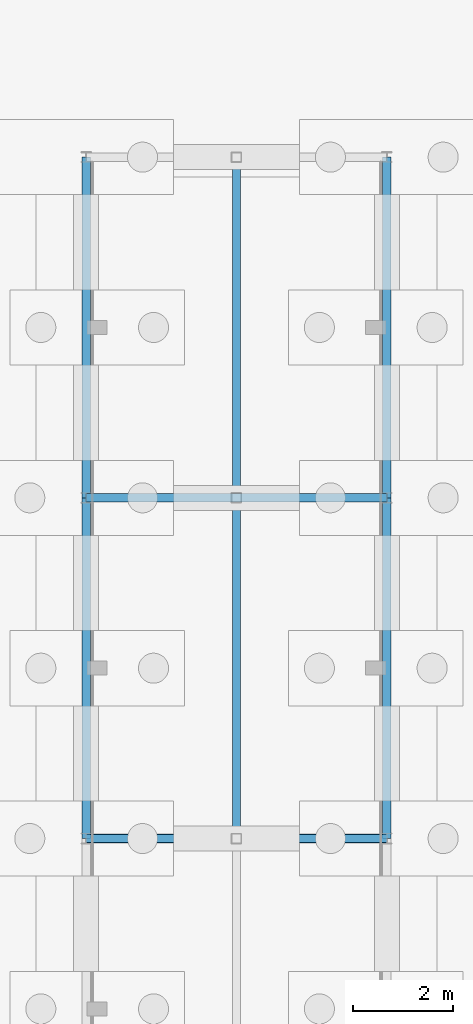
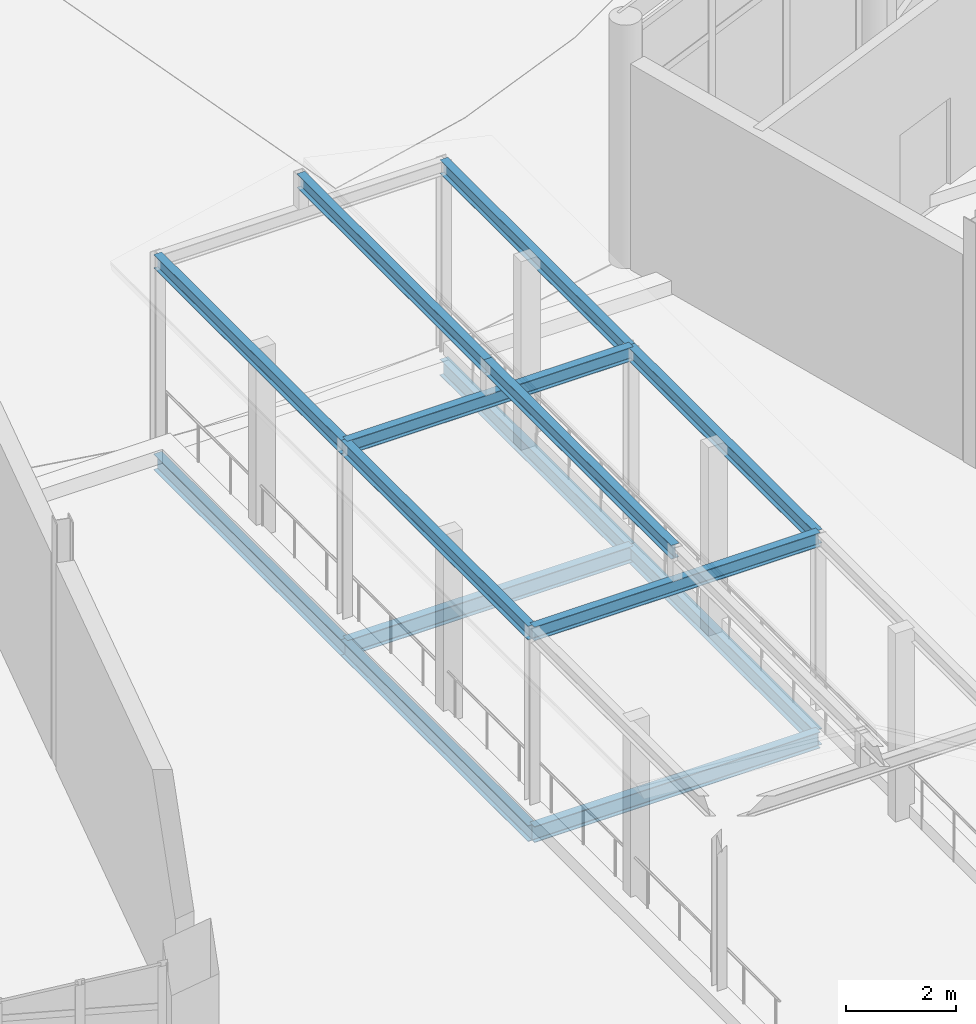
# One storey, part 40 of 137: 14 beams.
"""IFC4 building model written with IfcOpenShell, lengths in metres."""

from ifc_helpers import new_model, si_unit, direction, frame, origin, origin_2d, place, context, subcontext, project, spatial, i_section, extrude, material, material_profile, profile_set, type_object, element, save


model = new_model("IFC4")

# Units and contexts
model_context = context("Model", 3, precision=1e-05, world=origin(), true_north=direction((0.0, 1.0)))
body_context = subcontext(model_context, "Body", "Model", "MODEL_VIEW")
ifc_project = project(units=[si_unit("LENGTHUNIT", "METRE"), si_unit("AREAUNIT", "SQUARE_METRE"), si_unit("VOLUMEUNIT", "CUBIC_METRE"), si_unit("PLANEANGLEUNIT", "RADIAN"), si_unit("MASSUNIT", "GRAM", prefix="KILO")], contexts=[model_context])

# Site, building, storey
site_placement = place(None, origin())
site = spatial("IfcSite", under=ifc_project, at=site_placement, CompositionType="ELEMENT")
building_placement = place(site_placement, origin())
building = spatial("IfcBuilding", under=site, at=building_placement, Name="Vondelvale Polytechnic", CompositionType="ELEMENT")
storey_placement = place(building_placement, origin())
storey = spatial("IfcBuildingStorey", under=building, at=storey_placement, Name="L00", CompositionType="ELEMENT", Elevation=0.0)

# Beams
ifc_material = material(Name="Steel 300PLUS (fy = 300 MPa)", Category="steel")
ifc_material_profile_1 = material_profile(ifc_material, i_section(OverallWidth=0.166015625, OverallDepth=0.306884765625, WebThickness=0.006591796875, FlangeThickness=0.01171875, FilletRadius=0.011474609375, at=origin_2d()), Name="310UB46.2")
ifc_profile_set_1 = profile_set([ifc_material_profile_1], Name="Steel 300PLUS (fy = 300 MPa)")
beam_type_1 = type_object("IfcBeamType", Name="BM-UB310H", PredefinedType="BEAM", material=ifc_profile_set_1)
for number, where, z_axis, x_axis, name in (
    (1, (99.0, 30.60009765625, 4.026611328125), (0.0, 1.0, 0.0), (-1.0, 0.0, 0.0), "L00 BC B-16"),
    (2, (105.0, 30.60009765625, 4.026611328125), (0.0, 1.0, 0.0), (-1.0, 0.0, 0.0), "L00 BC B-16"),
):
    element("IfcBeam", number, at=place(storey_placement, frame(where, z_axis=z_axis, x_axis=x_axis)), inside=storey, type_object=beam_type_1, Name=name, PredefinedType="BEAM", context=body_context, shape_type="SweptSolid", body=[
        extrude(i_section(OverallWidth=0.166015625, OverallDepth=0.306884765625, WebThickness=0.006591796875, FlangeThickness=0.01171875, FilletRadius=0.011474609375, at=origin_2d()), origin(), (0.0, 0.0, 1.0), 6.7998046875),
    ])
for number, where, z_axis, x_axis, name in (
    (3, (99.0, 37.39990234375, 4.026611328125), (0.0, 1.0, 0.0), (-1.0, 0.0, 0.0), "L00 BC B-16"),
    (4, (105.0, 37.39990234375, 4.026611328125), (0.0, 1.0, 0.0), (-1.0, 0.0, 0.0), "L00 BC B-16"),
):
    element("IfcBeam", number, at=place(storey_placement, frame(where, z_axis=z_axis, x_axis=x_axis)), inside=storey, type_object=beam_type_1, Name=name, PredefinedType="BEAM", context=body_context, shape_type="SweptSolid", body=[
        extrude(i_section(OverallWidth=0.166015625, OverallDepth=0.306884765625, WebThickness=0.006591796875, FlangeThickness=0.01171875, FilletRadius=0.011474609375, at=origin_2d()), origin(), (0.0, 0.0, 1.0), 6.800048828125),
    ])
for number, where, z_axis, x_axis, name in (
    (5, (99.0, 30.60009765625, 4.026611328125), (1.0, 0.0, 0.0), (0.0, 1.0, 0.0), "L00 BC B-16"),
    (6, (99.0, 37.39990234375, 4.026611328125), (1.0, 0.0, 0.0), (0.0, 1.0, 0.0), "L00 BC B-16"),
):
    element("IfcBeam", number, at=place(storey_placement, frame(where, z_axis=z_axis, x_axis=x_axis)), inside=storey, type_object=beam_type_1, Name=name, PredefinedType="BEAM", context=body_context, shape_type="SweptSolid", body=[
        extrude(i_section(OverallWidth=0.166015625, OverallDepth=0.306884765625, WebThickness=0.006591796875, FlangeThickness=0.01171875, FilletRadius=0.011474609375, at=origin_2d()), origin(), (0.0, 0.0, 1.0), 6.0),
    ])
beam_1_placement = place(storey_placement, frame((102.0, 30.60009765625, 4.7666015625), z_axis=(0.0, 1.0, 0.0), x_axis=(-1.0, 0.0, 0.0)))
element("IfcBeam", 7, at=beam_1_placement, inside=storey, type_object=beam_type_1, Name="L00 BC B-16", PredefinedType="BEAM", context=body_context, shape_type="SweptSolid", body=[
    extrude(i_section(OverallWidth=0.166015625, OverallDepth=0.306884765625, WebThickness=0.006591796875, FlangeThickness=0.01171875, FilletRadius=0.011474609375, at=origin_2d()), origin(), (0.0, 0.0, 1.0), 6.7998046875),
])
beam_2_placement = place(storey_placement, frame((102.0, 37.39990234375, 4.7666015625), z_axis=(0.0, 1.0, 0.0), x_axis=(-1.0, 0.0, 0.0)))
element("IfcBeam", 8, at=beam_2_placement, inside=storey, type_object=beam_type_1, Name="L00 BC B-16", PredefinedType="BEAM", context=body_context, shape_type="SweptSolid", body=[
    extrude(i_section(OverallWidth=0.166015625, OverallDepth=0.306884765625, WebThickness=0.006591796875, FlangeThickness=0.01171875, FilletRadius=0.011474609375, at=origin_2d()), origin(), (0.0, 0.0, 1.0), 6.800048828125),
])
ifc_material_profile_2 = material_profile(ifc_material, i_section(OverallWidth=0.172119140625, OverallDepth=0.35888671875, WebThickness=0.008056640625, FlangeThickness=0.012939453125, FilletRadius=0.011474609375, at=origin_2d()), Name="360UB56.7")
ifc_profile_set_2 = profile_set([ifc_material_profile_2], Name="Steel 300PLUS (fy = 300 MPa)")
beam_type_2 = type_object("IfcBeamType", Name="BM-UB360H", PredefinedType="BEAM", material=ifc_profile_set_2)
for number, where, z_axis, x_axis, name in (
    (9, (99.0, 30.60009765625, -0.41943359375), (0.0, 1.0, 0.0), (-1.0, 0.0, 0.0), "L00 BB B-15"),
    (10, (105.0, 30.60009765625, -0.41943359375), (0.0, 1.0, 0.0), (-1.0, 0.0, 0.0), "L00 BB B-15"),
):
    element("IfcBeam", number, at=place(storey_placement, frame(where, z_axis=z_axis, x_axis=x_axis)), inside=storey, type_object=beam_type_2, Name=name, PredefinedType="BEAM", context=body_context, shape_type="SweptSolid", body=[
        extrude(i_section(OverallWidth=0.172119140625, OverallDepth=0.35888671875, WebThickness=0.008056640625, FlangeThickness=0.012939453125, FilletRadius=0.011474609375, at=origin_2d()), origin(), (0.0, 0.0, 1.0), 6.7998046875),
    ])
for number, where, z_axis, x_axis, name in (
    (11, (99.0, 37.39990234375, -0.41943359375), (0.0, 1.0, 0.0), (-1.0, 0.0, 0.0), "L00 BB B-15"),
    (12, (105.0, 37.39990234375, -0.41943359375), (0.0, 1.0, 0.0), (-1.0, 0.0, 0.0), "L00 BB B-15"),
):
    element("IfcBeam", number, at=place(storey_placement, frame(where, z_axis=z_axis, x_axis=x_axis)), inside=storey, type_object=beam_type_2, Name=name, PredefinedType="BEAM", context=body_context, shape_type="SweptSolid", body=[
        extrude(i_section(OverallWidth=0.172119140625, OverallDepth=0.35888671875, WebThickness=0.008056640625, FlangeThickness=0.012939453125, FilletRadius=0.011474609375, at=origin_2d()), origin(), (0.0, 0.0, 1.0), 6.800048828125),
    ])
for number, where, z_axis, x_axis, name in (
    (13, (99.0, 30.60009765625, -0.41943359375), (1.0, 0.0, 0.0), (0.0, 1.0, 0.0), "L00 BX B-15"),
    (14, (99.0, 37.39990234375, -0.41943359375), (1.0, 0.0, 0.0), (0.0, 1.0, 0.0), "L00 BX B-15"),
):
    element("IfcBeam", number, at=place(storey_placement, frame(where, z_axis=z_axis, x_axis=x_axis)), inside=storey, type_object=beam_type_2, Name=name, PredefinedType="BEAM", context=body_context, shape_type="SweptSolid", body=[
        extrude(i_section(OverallWidth=0.172119140625, OverallDepth=0.35888671875, WebThickness=0.008056640625, FlangeThickness=0.012939453125, FilletRadius=0.011474609375, at=origin_2d()), origin(), (0.0, 0.0, 1.0), 6.0),
    ])

save(model, "model.ifc")
